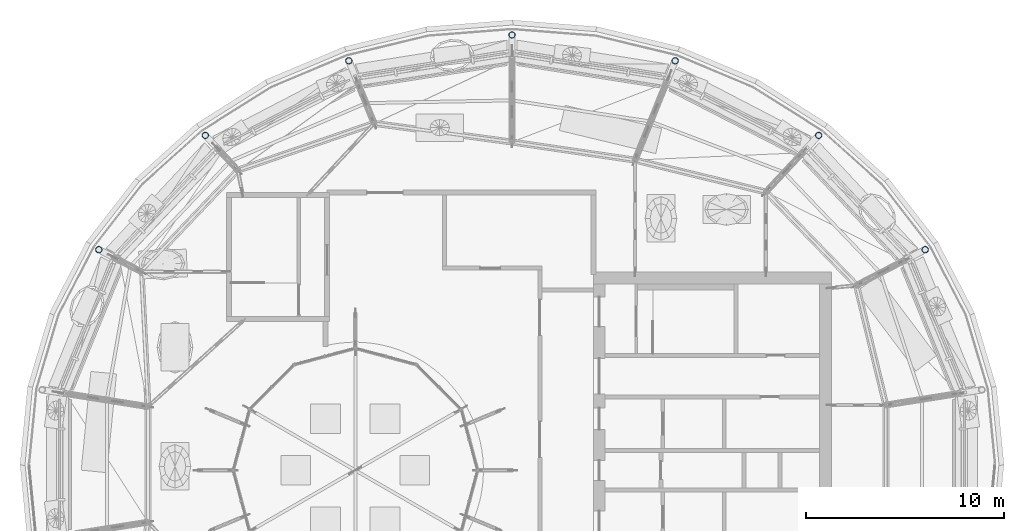
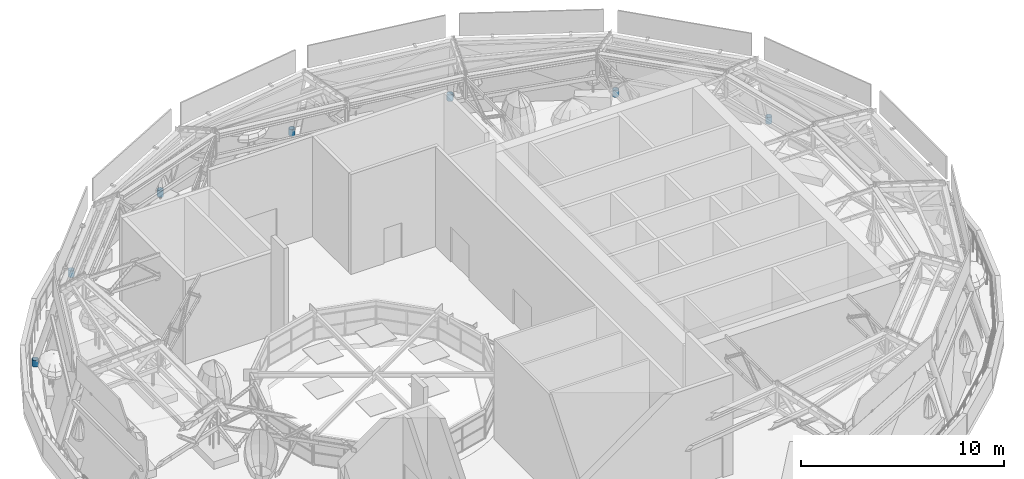
# One storey, part 3 of 40: 7 columns.
"""IFC4 building model written with IfcOpenShell, lengths in metres."""

from ifc_helpers import new_model, si_unit, direction, frame, origin, origin_2d, place, context, subcontext, project, spatial, hollow_circle, extrude, material, material_profile, profile_set, type_object, element, save


model = new_model("IFC4")

# Units and contexts
model_context = context("Model", 3, precision=1e-05, world=origin(), true_north=direction((0.0, 1.0)))
body_context = subcontext(model_context, "Body", "Model", "MODEL_VIEW")
ifc_project = project(units=[si_unit("LENGTHUNIT", "METRE"), si_unit("AREAUNIT", "SQUARE_METRE"), si_unit("VOLUMEUNIT", "CUBIC_METRE"), si_unit("PLANEANGLEUNIT", "RADIAN"), si_unit("MASSUNIT", "GRAM", prefix="KILO")], contexts=[model_context])

# Site, building, storey
site_placement = place(None, origin())
site = spatial("IfcSite", under=ifc_project, at=site_placement, CompositionType="ELEMENT")
building_placement = place(site_placement, origin())
building = spatial("IfcBuilding", under=site, at=building_placement, Name="Taillehof Tower", CompositionType="ELEMENT")
storey_placement = place(building_placement, frame((0.0, 0.0, 275.199951171875)))
storey = spatial("IfcBuildingStorey", under=building, at=storey_placement, Name="L77", CompositionType="ELEMENT", Elevation=275.199951171875)

# Columns
ifc_material = material(Name="Steel S460M", Category="steel")
ifc_material_profile = material_profile(ifc_material, hollow_circle(Radius=0.161865234375, WallThickness=0.01611328125, at=origin_2d()), Name="CHS 323.9x16")
ifc_profile_set = profile_set([ifc_material_profile], Name="Steel S460M")
column_type = type_object("IfcColumnType", Name="Canopy column base CHS 323.9x16", PredefinedType="COLUMN", material=ifc_profile_set)
for number, where, z_axis, x_axis, name in (
    (1, (20.72802734375, 11.125, 0.0), (0.0, 0.0, 1.0), (1.0, 0.0, 0.0), "Canopy column base CS02"),
    (2, (15.359130859375, 16.884765625, 0.0), (0.0, 0.0, 1.0), (1.0, 0.0, 0.0), "Canopy column base CS03"),
    (3, (8.12548828125, 20.644287109375, 0.0), (0.0, 0.0, 1.0), (1.0, 0.0, 0.0), "Canopy column base CS04"),
    (4, (-0.10009765625, 21.949951171875, 0.0), (0.0, 0.0, 1.0), (1.0, 0.0, 0.0), "Canopy column base CS05"),
    (5, (-8.32568359375, 20.644287109375, 0.0), (0.0, 0.0, 1.0), (1.0, 0.0, 0.0), "Canopy column base CS06"),
    (6, (-15.55908203125, 16.884765625, 0.0), (0.0, 0.0, 1.0), (1.0, 0.0, 0.0), "Canopy column base CS07"),
    (7, (-20.927978515625, 11.125, 0.0), (0.0, 0.0, 1.0), (1.0, 0.0, 0.0), "Canopy column base CS08"),
):
    element("IfcColumn", number, at=place(storey_placement, frame(where, z_axis=z_axis, x_axis=x_axis)), inside=storey, type_object=column_type, Name=name, PredefinedType="COLUMN", context=body_context, shape_type="SweptSolid", body=[
        extrude(hollow_circle(Radius=0.161865234375, WallThickness=0.01611328125, at=origin_2d()), origin(), (0.0, 0.0, 1.0), 0.400146484375),
    ])

save(model, "model.ifc")
